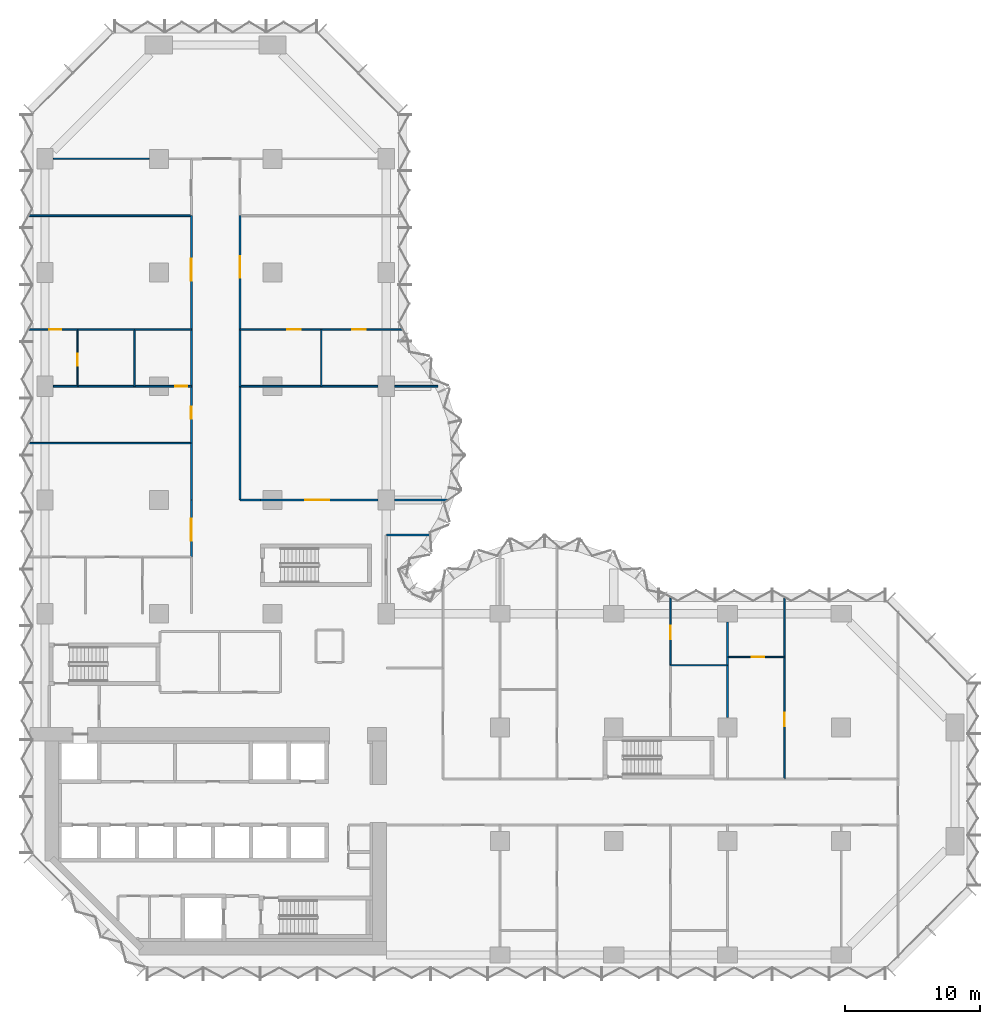
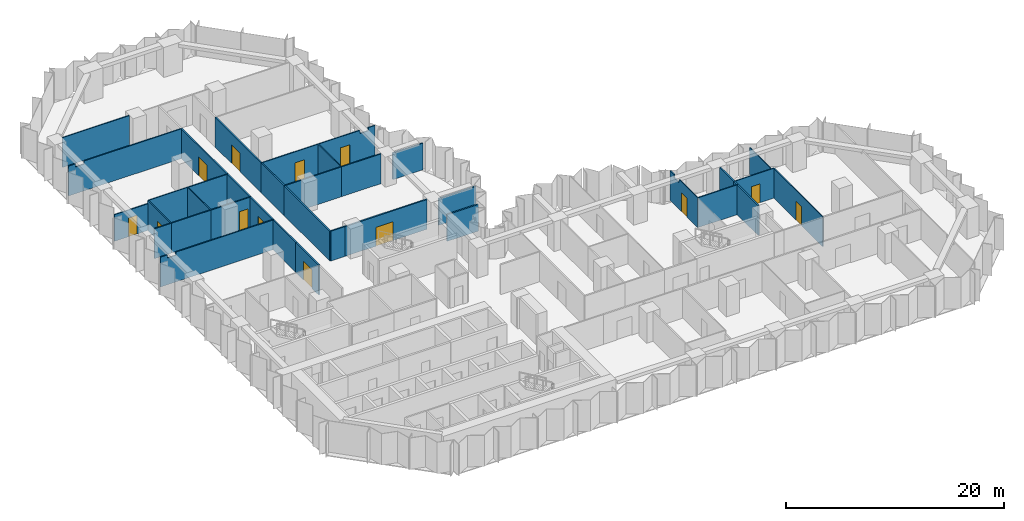
# One storey, part 11 of 15: 37 walls, 13 doors, 13 openings.
"""IFC4 building model written with IfcOpenShell, lengths in metres."""

from ifc_helpers import new_model, si_unit, direction, frame, frame_2d, origin, place, context, subcontext, project, spatial, polyline, rectangle, outline, extrude, material, layer, layer_set, type_object, element, fill, save


model = new_model("IFC4")

# Units and contexts
model_context = context("Model", 3, precision=1e-05, world=origin(), true_north=direction((0.0, 1.0)))
body_context = subcontext(model_context, "Body", "Model", "MODEL_VIEW")
ifc_project = project(units=[si_unit("LENGTHUNIT", "METRE"), si_unit("AREAUNIT", "SQUARE_METRE"), si_unit("VOLUMEUNIT", "CUBIC_METRE"), si_unit("PLANEANGLEUNIT", "RADIAN"), si_unit("MASSUNIT", "GRAM", prefix="KILO")], contexts=[model_context])

# Site, building, storey
site_placement = place(None, origin())
site = spatial("IfcSite", under=ifc_project, at=site_placement, CompositionType="ELEMENT")
building_placement = place(site_placement, origin())
building = spatial("IfcBuilding", under=site, at=building_placement, Name="Brevane Broadcast Tower", CompositionType="ELEMENT")
storey_placement = place(building_placement, frame((0.0, 0.0, 43.699951171875)))
storey = spatial("IfcBuildingStorey", under=building, at=storey_placement, Name="L08", CompositionType="ELEMENT", Elevation=43.699951171875)

# Wall, opening, door
ifc_material_1 = material(Name="Gypsum board partition")
ifc_layer_1 = layer(ifc_material_1, 0.10009765625)
ifc_layer_set_1 = layer_set([ifc_layer_1], Name="PARTITION 100 STUD")
wall_type_1 = type_object("IfcWallType", Name="PARTITION 100 STUD", PredefinedType="PARTITIONING", material=ifc_layer_set_1)
wall_1_placement = place(storey_placement, frame((46.199951171875, 26.3740234375, 0.0), z_axis=(0.0, 0.0, 1.0), x_axis=(0.0, -1.0, 0.0)))
wall_1 = element("IfcWall", 1, at=wall_1_placement, inside=storey, type_object=wall_type_1, Name="Partition G01-041", PredefinedType="PARTITIONING", context=body_context, shape_type="SweptSolid", body=[
    extrude(outline(polyline([(0.0, 0.0), (4.97412109375, 0.0), (4.97412109375, 3.330078125), (1.6240234375, 3.330078125), (1.6220703125, 2.97998046875), (0.72607421875, 2.97998046875), (0.72412109375, 3.330078125), (0.073974609375, 3.330078125), (0.0, 3.330078125), (0.0, 0.0)])), frame((0.0, 0.050048828125, 0.0), z_axis=(0.0, -1.0, 0.0), x_axis=(1.0, 0.0, 0.0)), (0.0, 0.0, 1.0), 0.10009765625),
])
opening_1_placement = place(wall_1_placement, frame((2.073974609375, 0.0, 0.0)))
opening_1 = element("IfcOpeningElement", 2, at=opening_1_placement, cuts=wall_1, Name="Opening D07-014", PredefinedType="OPENING", context=body_context, shape_type="SweptSolid", body=[
    extrude(rectangle(XDim=1.0, YDim=2.10009765625, at=frame_2d((0.5, 1.050048828125))), frame((0.0, 0.06005859375, 0.0), z_axis=(0.0, -1.0, 0.0), x_axis=(1.0, 0.0, 0.0)), (0.0, 0.0, 1.0), 0.1201171875),
])
ifc_material_2 = material(Name="Timber door leaf", Category="wood")
door_type_1 = type_object("IfcDoorType", Name="DOOR SINGLE 1000 INTERNAL", OperationType="SINGLE_SWING_LEFT", PredefinedType="DOOR", material=ifc_material_2)
door_1_placement = place(opening_1_placement, origin())
door_1 = element("IfcDoor", 3, at=door_1_placement, inside=storey, type_object=door_type_1, Name="Door D07-014", OperationType="SINGLE_SWING_LEFT", OverallHeight=2.10009765625, OverallWidth=1.0, PredefinedType="DOOR", context=body_context, shape_type="SweptSolid", body=[
    extrude(rectangle(XDim=1.0, YDim=2.10009765625, at=frame_2d((0.5, 1.050048828125))), frame((0.0, 0.02490234375, 0.0), z_axis=(0.0, -1.0, 0.0), x_axis=(1.0, 0.0, 0.0)), (0.0, 0.0, 1.0), 0.050048828125),
])
fill(opening_1, door_1)

# Wall
wall_2_placement = place(storey_placement, frame((46.199951171875, 21.39990234375, 0.0), z_axis=(0.0, 0.0, 1.0), x_axis=(1.0, 0.0, 0.0)))
element("IfcWall", 4, at=wall_2_placement, inside=storey, type_object=wall_type_1, Name="Partition G01-044", PredefinedType="PARTITIONING", context=body_context, shape_type="SweptSolid", body=[
    extrude(rectangle(XDim=4.199951171875, YDim=0.10009765625, at=frame_2d((2.10009765625, 0.0))), origin(), (0.0, 0.0, 1.0), 3.330078125),
])

# Wall, opening, door
wall_3_placement = place(storey_placement, frame((54.60009765625, 13.0, 0.0), z_axis=(0.0, 0.0, 1.0), x_axis=(0.0, 1.0, 0.0)))
wall_3 = element("IfcWall", 5, at=wall_3_placement, inside=storey, type_object=wall_type_1, Name="Partition G01-050", PredefinedType="PARTITIONING", context=body_context, shape_type="SweptSolid", body=[
    extrude(rectangle(XDim=9.0, YDim=0.10009765625, at=frame_2d((4.5, 0.0))), origin(), (0.0, 0.0, 1.0), 3.330078125),
])
opening_2_placement = place(wall_3_placement, frame((3.89990234375, 0.0, 0.0)))
opening_2 = element("IfcOpeningElement", 6, at=opening_2_placement, cuts=wall_3, Name="Opening D07-018", PredefinedType="OPENING", context=body_context, shape_type="SweptSolid", body=[
    extrude(rectangle(XDim=1.0, YDim=2.10009765625, at=frame_2d((0.5, 1.050048828125))), frame((0.0, 0.06005859375, 0.0), z_axis=(0.0, -1.0, 0.0), x_axis=(1.0, 0.0, 0.0)), (0.0, 0.0, 1.0), 0.1201171875),
])
door_2_placement = place(opening_2_placement, origin())
door_2 = element("IfcDoor", 7, at=door_2_placement, inside=storey, type_object=door_type_1, Name="Door D07-018", OperationType="SINGLE_SWING_LEFT", OverallHeight=2.10009765625, OverallWidth=1.0, PredefinedType="DOOR", context=body_context, shape_type="SweptSolid", body=[
    extrude(rectangle(XDim=1.0, YDim=2.10009765625, at=frame_2d((0.5, 1.050048828125))), frame((0.0, 0.02490234375, 0.0), z_axis=(0.0, -1.0, 0.0), x_axis=(1.0, 0.0, 0.0)), (0.0, 0.0, 1.0), 0.050048828125),
])
fill(opening_2, door_2)

# Wall
wall_4_placement = place(storey_placement, frame((54.60009765625, 22.0, 0.0), z_axis=(0.0, 0.0, 1.0), x_axis=(0.0, 1.0, 0.0)))
element("IfcWall", 8, at=wall_4_placement, inside=storey, type_object=wall_type_1, Name="Partition G01-051", PredefinedType="PARTITIONING", context=body_context, shape_type="SweptSolid", body=[
    extrude(rectangle(XDim=4.3740234375, YDim=0.10009765625, at=frame_2d((2.18701171875, 0.0))), origin(), (0.0, 0.0, 1.0), 2.97998046875),
])

# Wall, opening, door
wall_5_placement = place(storey_placement, frame((50.39990234375, 22.0, 0.0), z_axis=(0.0, 0.0, 1.0), x_axis=(1.0, 0.0, 0.0)))
wall_5 = element("IfcWall", 9, at=wall_5_placement, inside=storey, type_object=wall_type_1, Name="Partition G01-052", PredefinedType="PARTITIONING", context=body_context, shape_type="SweptSolid", body=[
    extrude(rectangle(XDim=4.2001953125, YDim=0.10009765625, at=frame_2d((2.10009765625, 0.0))), origin(), (0.0, 0.0, 1.0), 3.330078125),
])
opening_3_placement = place(wall_5_placement, frame((1.800048828125, 0.0, 0.0)))
opening_3 = element("IfcOpeningElement", 10, at=opening_3_placement, cuts=wall_5, Name="Opening D07-019", PredefinedType="OPENING", context=body_context, shape_type="SweptSolid", body=[
    extrude(rectangle(XDim=0.89990234375, YDim=2.10009765625, at=frame_2d((0.449951171875, 1.050048828125))), frame((0.0, 0.06005859375, 0.0), z_axis=(0.0, -1.0, 0.0), x_axis=(1.0, 0.0, 0.0)), (0.0, 0.0, 1.0), 0.1201171875),
])
door_type_2 = type_object("IfcDoorType", Name="DOOR SINGLE 900 INTERNAL", OperationType="SINGLE_SWING_LEFT", PredefinedType="DOOR", material=ifc_material_2)
door_3_placement = place(opening_3_placement, origin())
door_3 = element("IfcDoor", 11, at=door_3_placement, inside=storey, type_object=door_type_2, Name="Door D07-019", OperationType="SINGLE_SWING_LEFT", OverallHeight=2.10009765625, OverallWidth=0.89990234375, PredefinedType="DOOR", context=body_context, shape_type="SweptSolid", body=[
    extrude(rectangle(XDim=0.89990234375, YDim=2.10009765625, at=frame_2d((0.449951171875, 1.050048828125))), frame((0.0, 0.02490234375, 0.0), z_axis=(0.0, -1.0, 0.0), x_axis=(1.0, 0.0, 0.0)), (0.0, 0.0, 1.0), 0.050048828125),
])
fill(opening_3, door_3)

# Wall
wall_6_placement = place(storey_placement, frame((7.679931640625, 58.800048828125, 0.0), z_axis=(0.0, 0.0, 1.0), x_axis=(-1.0, 0.0, 0.0)))
element("IfcWall", 12, at=wall_6_placement, inside=storey, type_object=wall_type_1, Name="Partition G01-069", PredefinedType="PARTITIONING", context=body_context, shape_type="SweptSolid", body=[
    extrude(rectangle(XDim=7.059814453125, YDim=0.10009765625, at=frame_2d((3.52978515625, 0.0))), origin(), (0.0, 0.0, 1.0), 3.330078125),
])

# Wall, opening, door
wall_7_placement = place(storey_placement, frame((2.39990234375, 46.199951171875, 0.0), z_axis=(0.0, 0.0, 1.0), x_axis=(-1.0, 0.0, 0.0)))
wall_7 = element("IfcWall", 13, at=wall_7_placement, inside=storey, type_object=wall_type_1, Name="Partition G01-081", PredefinedType="PARTITIONING", context=body_context, shape_type="SweptSolid", body=[
    extrude(rectangle(XDim=3.573974609375, YDim=0.10009765625, at=frame_2d((1.787109375, 0.0))), origin(), (0.0, 0.0, 1.0), 2.97998046875),
])
opening_4_placement = place(wall_7_placement, frame((1.199951171875, 0.0, 0.0)))
opening_4 = element("IfcOpeningElement", 14, at=opening_4_placement, cuts=wall_7, Name="Opening D07-027", PredefinedType="OPENING", context=body_context, shape_type="SweptSolid", body=[
    extrude(rectangle(XDim=0.89990234375, YDim=2.10009765625, at=frame_2d((0.449951171875, 1.050048828125))), frame((0.0, 0.06005859375, 0.0), z_axis=(0.0, -1.0, 0.0), x_axis=(1.0, 0.0, 0.0)), (0.0, 0.0, 1.0), 0.1201171875),
])
door_4_placement = place(opening_4_placement, origin())
door_4 = element("IfcDoor", 15, at=door_4_placement, inside=storey, type_object=door_type_2, Name="Door D07-027", OperationType="SINGLE_SWING_LEFT", OverallHeight=2.10009765625, OverallWidth=0.89990234375, PredefinedType="DOOR", context=body_context, shape_type="SweptSolid", body=[
    extrude(rectangle(XDim=0.89990234375, YDim=2.10009765625, at=frame_2d((0.449951171875, 1.050048828125))), frame((0.0, 0.02490234375, 0.0), z_axis=(0.0, -1.0, 0.0), x_axis=(1.0, 0.0, 0.0)), (0.0, 0.0, 1.0), 0.050048828125),
])
fill(opening_4, door_4)

# Walls
wall_8_placement = place(storey_placement, frame((6.60009765625, 46.199951171875, 0.0), z_axis=(0.0, 0.0, 1.0), x_axis=(-1.0, 0.0, 0.0)))
element("IfcWall", 16, at=wall_8_placement, inside=storey, type_object=wall_type_1, Name="Partition G01-082", PredefinedType="PARTITIONING", context=body_context, shape_type="SweptSolid", body=[
    extrude(rectangle(XDim=4.2001953125, YDim=0.10009765625, at=frame_2d((2.10009765625, 0.0))), origin(), (0.0, 0.0, 1.0), 3.330078125),
])
wall_9_placement = place(storey_placement, frame((10.800048828125, 46.199951171875, 0.0), z_axis=(0.0, 0.0, 1.0), x_axis=(-1.0, 0.0, 0.0)))
element("IfcWall", 17, at=wall_9_placement, inside=storey, type_object=wall_type_1, Name="Partition G01-083", PredefinedType="PARTITIONING", context=body_context, shape_type="SweptSolid", body=[
    extrude(rectangle(XDim=4.199951171875, YDim=0.10009765625, at=frame_2d((2.10009765625, 0.0))), origin(), (0.0, 0.0, 1.0), 3.330078125),
])

# Wall, opening, door
wall_10_placement = place(storey_placement, frame((2.39990234375, 46.199951171875, 0.0), z_axis=(0.0, 0.0, 1.0), x_axis=(0.0, -1.0, 0.0)))
wall_10 = element("IfcWall", 18, at=wall_10_placement, inside=storey, type_object=wall_type_1, Name="Partition G01-085", PredefinedType="PARTITIONING", context=body_context, shape_type="SweptSolid", body=[
    extrude(rectangle(XDim=4.199951171875, YDim=0.10009765625, at=frame_2d((2.10009765625, 0.0))), origin(), (0.0, 0.0, 1.0), 3.330078125),
])
opening_5_placement = place(wall_10_placement, frame((1.800048828125, 0.0, 0.0)))
opening_5 = element("IfcOpeningElement", 19, at=opening_5_placement, cuts=wall_10, Name="Opening D07-028", PredefinedType="OPENING", context=body_context, shape_type="SweptSolid", body=[
    extrude(rectangle(XDim=0.89990234375, YDim=2.10009765625, at=frame_2d((0.449951171875, 1.050048828125))), frame((0.0, 0.06005859375, 0.0), z_axis=(0.0, -1.0, 0.0), x_axis=(1.0, 0.0, 0.0)), (0.0, 0.0, 1.0), 0.1201171875),
])
door_5_placement = place(opening_5_placement, origin())
door_5 = element("IfcDoor", 20, at=door_5_placement, inside=storey, type_object=door_type_2, Name="Door D07-028", OperationType="SINGLE_SWING_LEFT", OverallHeight=2.10009765625, OverallWidth=0.89990234375, PredefinedType="DOOR", context=body_context, shape_type="SweptSolid", body=[
    extrude(rectangle(XDim=0.89990234375, YDim=2.10009765625, at=frame_2d((0.449951171875, 1.050048828125))), frame((0.0, 0.02490234375, 0.0), z_axis=(0.0, -1.0, 0.0), x_axis=(1.0, 0.0, 0.0)), (0.0, 0.0, 1.0), 0.050048828125),
])
fill(opening_5, door_5)

# Wall
wall_11_placement = place(storey_placement, frame((6.60009765625, 46.199951171875, 0.0), z_axis=(0.0, 0.0, 1.0), x_axis=(0.0, -1.0, 0.0)))
element("IfcWall", 21, at=wall_11_placement, inside=storey, type_object=wall_type_1, Name="Partition G01-086", PredefinedType="PARTITIONING", context=body_context, shape_type="SweptSolid", body=[
    extrude(rectangle(XDim=4.199951171875, YDim=0.10009765625, at=frame_2d((2.10009765625, 0.0))), origin(), (0.0, 0.0, 1.0), 3.330078125),
])

# Wall, opening, door
wall_12_placement = place(storey_placement, frame((20.39990234375, 46.199951171875, 0.0), z_axis=(0.0, 0.0, 1.0), x_axis=(-1.0, 0.0, 0.0)))
wall_12 = element("IfcWall", 22, at=wall_12_placement, inside=storey, type_object=wall_type_1, Name="Partition G01-090", PredefinedType="PARTITIONING", context=body_context, shape_type="SweptSolid", body=[
    extrude(rectangle(XDim=6.0, YDim=0.10009765625, at=frame_2d((3.0, 0.0))), origin(), (0.0, 0.0, 1.0), 3.330078125),
])
opening_6_placement = place(wall_12_placement, frame((1.5, 0.0, 0.0)))
opening_6 = element("IfcOpeningElement", 23, at=opening_6_placement, cuts=wall_12, Name="Opening D07-033", PredefinedType="OPENING", context=body_context, shape_type="SweptSolid", body=[
    extrude(rectangle(XDim=1.0, YDim=2.10009765625, at=frame_2d((0.5, 1.050048828125))), frame((0.0, 0.06005859375, 0.0), z_axis=(0.0, -1.0, 0.0), x_axis=(1.0, 0.0, 0.0)), (0.0, 0.0, 1.0), 0.1201171875),
])
door_6_placement = place(opening_6_placement, origin())
door_6 = element("IfcDoor", 24, at=door_6_placement, inside=storey, type_object=door_type_1, Name="Door D07-033", OperationType="SINGLE_SWING_LEFT", OverallHeight=2.10009765625, OverallWidth=1.0, PredefinedType="DOOR", context=body_context, shape_type="SweptSolid", body=[
    extrude(rectangle(XDim=1.0, YDim=2.10009765625, at=frame_2d((0.5, 1.050048828125))), frame((0.0, 0.02490234375, 0.0), z_axis=(0.0, -1.0, 0.0), x_axis=(1.0, 0.0, 0.0)), (0.0, 0.0, 1.0), 0.050048828125),
])
fill(opening_6, door_6)

wall_13_placement = place(storey_placement, frame((26.3740234375, 46.199951171875, 0.0), z_axis=(0.0, 0.0, 1.0), x_axis=(-1.0, 0.0, 0.0)))
wall_13 = element("IfcWall", 25, at=wall_13_placement, inside=storey, type_object=wall_type_1, Name="Partition G01-091", PredefinedType="PARTITIONING", context=body_context, shape_type="SweptSolid", body=[
    extrude(outline(polyline([(0.0, 0.0), (5.97412109375, 0.0), (5.97412109375, 3.330078125), (1.6240234375, 3.330078125), (1.6220703125, 2.97998046875), (0.72607421875, 2.97998046875), (0.72412109375, 3.330078125), (0.073974609375, 3.330078125), (0.0, 3.330078125), (0.0, 0.0)])), frame((0.0, 0.050048828125, 0.0), z_axis=(0.0, -1.0, 0.0), x_axis=(1.0, 0.0, 0.0)), (0.0, 0.0, 1.0), 0.10009765625),
])
opening_7_placement = place(wall_13_placement, frame((2.674072265625, 0.0, 0.0)))
opening_7 = element("IfcOpeningElement", 26, at=opening_7_placement, cuts=wall_13, Name="Opening D07-034", PredefinedType="OPENING", context=body_context, shape_type="SweptSolid", body=[
    extrude(rectangle(XDim=1.0, YDim=2.10009765625, at=frame_2d((0.5, 1.050048828125))), frame((0.0, 0.06005859375, 0.0), z_axis=(0.0, -1.0, 0.0), x_axis=(1.0, 0.0, 0.0)), (0.0, 0.0, 1.0), 0.1201171875),
])
door_7_placement = place(opening_7_placement, origin())
door_7 = element("IfcDoor", 27, at=door_7_placement, inside=storey, type_object=door_type_1, Name="Door D07-034", OperationType="SINGLE_SWING_LEFT", OverallHeight=2.10009765625, OverallWidth=1.0, PredefinedType="DOOR", context=body_context, shape_type="SweptSolid", body=[
    extrude(rectangle(XDim=1.0, YDim=2.10009765625, at=frame_2d((0.5, 1.050048828125))), frame((0.0, 0.02490234375, 0.0), z_axis=(0.0, -1.0, 0.0), x_axis=(1.0, 0.0, 0.0)), (0.0, 0.0, 1.0), 0.050048828125),
])
fill(opening_7, door_7)

# Walls
wall_14_placement = place(storey_placement, frame((20.39990234375, 46.199951171875, 0.0), z_axis=(0.0, 0.0, 1.0), x_axis=(0.0, -1.0, 0.0)))
element("IfcWall", 28, at=wall_14_placement, inside=storey, type_object=wall_type_1, Name="Partition G01-093", PredefinedType="PARTITIONING", context=body_context, shape_type="SweptSolid", body=[
    extrude(rectangle(XDim=4.199951171875, YDim=0.10009765625, at=frame_2d((2.10009765625, 0.0))), origin(), (0.0, 0.0, 1.0), 3.330078125),
])
ifc_layer_2 = layer(ifc_material_1, 0.125)
ifc_layer_set_2 = layer_set([ifc_layer_2], Name="PARTITION 125 ACOUSTIC")
wall_type_2 = type_object("IfcWallType", Name="PARTITION 125 ACOUSTIC", PredefinedType="PARTITIONING", material=ifc_layer_set_2)
wall_15_placement = place(storey_placement, frame((-1.174072265625, 37.800048828125, 0.0), z_axis=(0.0, 0.0, 1.0), x_axis=(1.0, 0.0, 0.0)))
element("IfcWall", 29, at=wall_15_placement, inside=storey, type_object=wall_type_2, Name="Partition G01-075", PredefinedType="PARTITIONING", context=body_context, shape_type="SweptSolid", body=[
    extrude(outline(polyline([(0.0, 0.0), (11.97412109375, 0.0), (11.97412109375, 3.330078125), (1.6240234375, 3.330078125), (1.6220703125, 2.97998046875), (0.72607421875, 2.97998046875), (0.72412109375, 3.330078125), (0.073974609375, 3.330078125), (0.0, 3.330078125), (0.0, 0.0)])), frame((0.0, 0.0625, 0.0), z_axis=(0.0, -1.0, 0.0), x_axis=(1.0, 0.0, 0.0)), (0.0, 0.0, 1.0), 0.125),
])
wall_16_placement = place(storey_placement, frame((0.6201171875, 42.0, 0.0), z_axis=(0.0, 0.0, 1.0), x_axis=(1.0, 0.0, 0.0)))
element("IfcWall", 30, at=wall_16_placement, inside=storey, type_object=wall_type_2, Name="Partition G01-078", PredefinedType="PARTITIONING", context=body_context, shape_type="SweptSolid", body=[
    extrude(rectangle(XDim=1.77978515625, YDim=0.125, at=frame_2d((0.889892578125, 0.0))), origin(), (0.0, 0.0, 1.0), 3.330078125),
])
wall_17_placement = place(storey_placement, frame((2.39990234375, 42.0, 0.0), z_axis=(0.0, 0.0, 1.0), x_axis=(1.0, 0.0, 0.0)))
element("IfcWall", 31, at=wall_17_placement, inside=storey, type_object=wall_type_2, Name="Partition G01-079", PredefinedType="PARTITIONING", context=body_context, shape_type="SweptSolid", body=[
    extrude(rectangle(XDim=4.2001953125, YDim=0.125, at=frame_2d((2.10009765625, 0.0))), origin(), (0.0, 0.0, 1.0), 3.330078125),
])

# Wall, opening, door
wall_18_placement = place(storey_placement, frame((6.60009765625, 42.0, 0.0), z_axis=(0.0, 0.0, 1.0), x_axis=(1.0, 0.0, 0.0)))
wall_18 = element("IfcWall", 32, at=wall_18_placement, inside=storey, type_object=wall_type_2, Name="Partition G01-080", PredefinedType="PARTITIONING", context=body_context, shape_type="SweptSolid", body=[
    extrude(rectangle(XDim=4.199951171875, YDim=0.125, at=frame_2d((2.10009765625, 0.0))), origin(), (0.0, 0.0, 1.0), 3.330078125),
])
opening_8_placement = place(wall_18_placement, frame((3.0, 0.0, 0.0)))
opening_8 = element("IfcOpeningElement", 33, at=opening_8_placement, cuts=wall_18, Name="Opening D07-029", PredefinedType="OPENING", context=body_context, shape_type="SweptSolid", body=[
    extrude(rectangle(XDim=0.89990234375, YDim=2.10009765625, at=frame_2d((0.449951171875, 1.050048828125))), frame((0.0, 0.072509765625, 0.0), z_axis=(0.0, -1.0, 0.0), x_axis=(1.0, 0.0, 0.0)), (0.0, 0.0, 1.0), 0.14501953125),
])
door_8_placement = place(opening_8_placement, origin())
door_8 = element("IfcDoor", 34, at=door_8_placement, inside=storey, type_object=door_type_2, Name="Door D07-029", OperationType="SINGLE_SWING_RIGHT", OverallHeight=2.10009765625, OverallWidth=0.89990234375, PredefinedType="DOOR", context=body_context, shape_type="SweptSolid", body=[
    extrude(rectangle(XDim=0.89990234375, YDim=2.10009765625, at=frame_2d((0.449951171875, 1.050048828125))), frame((0.0, 0.02490234375, 0.0), z_axis=(0.0, -1.0, 0.0), x_axis=(1.0, 0.0, 0.0)), (0.0, 0.0, 1.0), 0.050048828125),
])
fill(opening_8, door_8)

# Walls
wall_19_placement = place(storey_placement, frame((-1.174072265625, 54.60009765625, 0.0), z_axis=(0.0, 0.0, 1.0), x_axis=(1.0, 0.0, 0.0)))
element("IfcWall", 35, at=wall_19_placement, inside=storey, type_object=wall_type_2, Name="Partition G01-084", PredefinedType="PARTITIONING", context=body_context, shape_type="SweptSolid", body=[
    extrude(outline(polyline([(0.0, 0.0), (11.97412109375, 0.0), (11.97412109375, 3.330078125), (1.6240234375, 3.330078125), (1.6220703125, 2.97998046875), (0.72607421875, 2.97998046875), (0.72412109375, 3.330078125), (0.073974609375, 3.330078125), (0.0, 3.330078125), (0.0, 0.0)])), frame((0.0, 0.0625, 0.0), z_axis=(0.0, -1.0, 0.0), x_axis=(1.0, 0.0, 0.0)), (0.0, 0.0, 1.0), 0.125),
])
wall_20_placement = place(storey_placement, frame((14.39990234375, 42.0, 0.0), z_axis=(0.0, 0.0, 1.0), x_axis=(1.0, 0.0, 0.0)))
element("IfcWall", 36, at=wall_20_placement, inside=storey, type_object=wall_type_2, Name="Partition G01-087", PredefinedType="PARTITIONING", context=body_context, shape_type="SweptSolid", body=[
    extrude(rectangle(XDim=6.0, YDim=0.125, at=frame_2d((3.0, 0.0))), origin(), (0.0, 0.0, 1.0), 3.330078125),
])
wall_21_placement = place(storey_placement, frame((20.39990234375, 42.0, 0.0), z_axis=(0.0, 0.0, 1.0), x_axis=(1.0, 0.0, 0.0)))
element("IfcWall", 37, at=wall_21_placement, inside=storey, type_object=wall_type_2, Name="Partition G01-088", PredefinedType="PARTITIONING", context=body_context, shape_type="SweptSolid", body=[
    extrude(rectangle(XDim=4.18017578125, YDim=0.125, at=frame_2d((2.090087890625, 0.0))), origin(), (0.0, 0.0, 1.0), 3.330078125),
])
wall_22_placement = place(storey_placement, frame((25.820068359375, 42.0, 0.0), z_axis=(0.0, 0.0, 1.0), x_axis=(1.0, 0.0, 0.0)))
element("IfcWall", 38, at=wall_22_placement, inside=storey, type_object=wall_type_2, Name="Partition G01-089", PredefinedType="PARTITIONING", context=body_context, shape_type="SweptSolid", body=[
    extrude(rectangle(XDim=3.19140625, YDim=0.125, at=frame_2d((1.595703125, 0.0))), origin(), (0.0, 0.0, 1.0), 2.97998046875),
])
ifc_layer_3 = layer(ifc_material_1, 0.14990234375)
ifc_layer_set_3 = layer_set([ifc_layer_3], Name="PARTITION 150 EI 60")
wall_type_3 = type_object("IfcWallType", Name="PARTITION 150 EI 60", PredefinedType="PARTITIONING", material=ifc_layer_set_3)
wall_23_placement = place(storey_placement, frame((25.199951171875, 31.0, 0.0), z_axis=(0.0, 0.0, 1.0), x_axis=(1.0, 0.0, 0.0)))
element("IfcWall", 39, at=wall_23_placement, inside=storey, type_object=wall_type_3, Name="Partition G01-006", PredefinedType="PARTITIONING", context=body_context, shape_type="SweptSolid", body=[
    extrude(rectangle(XDim=3.32421875, YDim=0.14990234375, at=frame_2d((1.662109375, 0.0))), origin(), (0.0, 0.0, 1.0), 2.97998046875),
])
wall_24_placement = place(storey_placement, frame((50.39990234375, 21.39990234375, 0.0), z_axis=(0.0, 0.0, 1.0), x_axis=(0.0, -1.0, 0.0)))
element("IfcWall", 40, at=wall_24_placement, inside=storey, type_object=wall_type_3, Name="Partition G01-045", PredefinedType="PARTITIONING", context=body_context, shape_type="SweptSolid", body=[
    extrude(rectangle(XDim=3.8798828125, YDim=0.14990234375, at=frame_2d((1.93994140625, 0.0))), origin(), (0.0, 0.0, 1.0), 3.330078125),
])
wall_25_placement = place(storey_placement, frame((50.39990234375, 22.0, 0.0), z_axis=(0.0, 0.0, 1.0), x_axis=(0.0, -1.0, 0.0)))
element("IfcWall", 41, at=wall_25_placement, inside=storey, type_object=wall_type_3, Name="Partition G01-047", PredefinedType="PARTITIONING", context=body_context, shape_type="SweptSolid", body=[
    extrude(rectangle(XDim=0.60009765625, YDim=0.14990234375, at=frame_2d((0.300048828125, 0.0))), origin(), (0.0, 0.0, 1.0), 3.330078125),
])
wall_26_placement = place(storey_placement, frame((50.39990234375, 24.580078125, 0.0), z_axis=(0.0, 0.0, 1.0), x_axis=(0.0, -1.0, 0.0)))
element("IfcWall", 42, at=wall_26_placement, inside=storey, type_object=wall_type_3, Name="Partition G01-048", PredefinedType="PARTITIONING", context=body_context, shape_type="SweptSolid", body=[
    extrude(rectangle(XDim=2.580078125, YDim=0.14990234375, at=frame_2d((1.2900390625, 0.0))), origin(), (0.0, 0.0, 1.0), 3.330078125),
])

# Wall, opening, door
wall_27_placement = place(storey_placement, frame((10.800048828125, 29.39990234375, 0.0), z_axis=(0.0, 0.0, 1.0), x_axis=(0.0, 1.0, 0.0)))
wall_27 = element("IfcWall", 43, at=wall_27_placement, inside=storey, type_object=wall_type_3, Name="Partition G01-053", PredefinedType="PARTITIONING", context=body_context, shape_type="SweptSolid", body=[
    extrude(rectangle(XDim=4.2001953125, YDim=0.14990234375, at=frame_2d((2.10009765625, 0.0))), origin(), (0.0, 0.0, 1.0), 3.330078125),
])
opening_9_placement = place(wall_27_placement, frame((1.199951171875, 0.0, 0.0)))
opening_9 = element("IfcOpeningElement", 44, at=opening_9_placement, cuts=wall_27, Name="Opening D07-021", PredefinedType="OPENING", context=body_context, shape_type="SweptSolid", body=[
    extrude(rectangle(XDim=1.60009765625, YDim=2.10009765625, at=frame_2d((0.800048828125, 1.050048828125))), frame((0.0, 0.0849609375, 0.0), z_axis=(0.0, -1.0, 0.0), x_axis=(1.0, 0.0, 0.0)), (0.0, 0.0, 1.0), 0.169921875),
])
ifc_material_3 = material(Name="Fire-rated timber door leaf", Category="wood")
door_type_3 = type_object("IfcDoorType", Name="DOOR DOUBLE 1600 FD30S", OperationType="DOUBLE_DOOR_SINGLE_SWING", PredefinedType="DOOR", material=ifc_material_3)
door_9_placement = place(opening_9_placement, origin())
door_9 = element("IfcDoor", 45, at=door_9_placement, inside=storey, type_object=door_type_3, Name="Door D07-021", OperationType="DOUBLE_DOOR_SINGLE_SWING", OverallHeight=2.10009765625, OverallWidth=1.60009765625, PredefinedType="DOOR", context=body_context, shape_type="SweptSolid", body=[
    extrude(rectangle(XDim=1.60009765625, YDim=2.10009765625, at=frame_2d((0.800048828125, 1.050048828125))), frame((0.0, 0.02490234375, 0.0), z_axis=(0.0, -1.0, 0.0), x_axis=(1.0, 0.0, 0.0)), (0.0, 0.0, 1.0), 0.050048828125),
])
fill(opening_9, door_9)

# Wall
wall_28_placement = place(storey_placement, frame((14.39990234375, 33.60009765625, 0.0), z_axis=(0.0, 0.0, 1.0), x_axis=(1.0, 0.0, 0.0)))
element("IfcWall", 46, at=wall_28_placement, inside=storey, type_object=wall_type_3, Name="Partition G01-055", PredefinedType="PARTITIONING", context=body_context, shape_type="SweptSolid", body=[
    extrude(rectangle(XDim=1.5, YDim=0.14990234375, at=frame_2d((0.75, 0.0))), origin(), (0.0, 0.0, 1.0), 3.330078125),
])

# Wall, opening, door
wall_29_placement = place(storey_placement, frame((15.89990234375, 33.60009765625, 0.0), z_axis=(0.0, 0.0, 1.0), x_axis=(1.0, 0.0, 0.0)))
wall_29 = element("IfcWall", 47, at=wall_29_placement, inside=storey, type_object=wall_type_3, Name="Partition G01-056", PredefinedType="PARTITIONING", context=body_context, shape_type="SweptSolid", body=[
    extrude(rectangle(XDim=8.68017578125, YDim=0.14990234375, at=frame_2d((4.340087890625, 0.0))), origin(), (0.0, 0.0, 1.0), 3.330078125),
])
opening_10_placement = place(wall_29_placement, frame((3.300048828125, 0.0, 0.0)))
opening_10 = element("IfcOpeningElement", 48, at=opening_10_placement, cuts=wall_29, Name="Opening D07-031", PredefinedType="OPENING", context=body_context, shape_type="SweptSolid", body=[
    extrude(rectangle(XDim=1.800048828125, YDim=2.10009765625, at=frame_2d((0.89990234375, 1.050048828125))), frame((0.0, 0.0849609375, 0.0), z_axis=(0.0, -1.0, 0.0), x_axis=(1.0, 0.0, 0.0)), (0.0, 0.0, 1.0), 0.169921875),
])
door_type_4 = type_object("IfcDoorType", Name="DOOR DOUBLE 1800 FD30S", OperationType="DOUBLE_DOOR_SINGLE_SWING", PredefinedType="DOOR", material=ifc_material_3)
door_10_placement = place(opening_10_placement, origin())
door_10 = element("IfcDoor", 49, at=door_10_placement, inside=storey, type_object=door_type_4, Name="Door D07-031", OperationType="DOUBLE_DOOR_SINGLE_SWING", OverallHeight=2.10009765625, OverallWidth=1.800048828125, PredefinedType="DOOR", context=body_context, shape_type="SweptSolid", body=[
    extrude(rectangle(XDim=1.800048828125, YDim=2.10009765625, at=frame_2d((0.89990234375, 1.050048828125))), frame((0.0, 0.02490234375, 0.0), z_axis=(0.0, -1.0, 0.0), x_axis=(1.0, 0.0, 0.0)), (0.0, 0.0, 1.0), 0.050048828125),
])
fill(opening_10, door_10)

# Walls
wall_30_placement = place(storey_placement, frame((25.820068359375, 33.60009765625, 0.0), z_axis=(0.0, 0.0, 1.0), x_axis=(1.0, 0.0, 0.0)))
element("IfcWall", 50, at=wall_30_placement, inside=storey, type_object=wall_type_3, Name="Partition G01-057", PredefinedType="PARTITIONING", context=body_context, shape_type="SweptSolid", body=[
    extrude(rectangle(XDim=3.94189453125, YDim=0.14990234375, at=frame_2d((1.970947265625, 0.0))), origin(), (0.0, 0.0, 1.0), 2.97998046875),
])
wall_31_placement = place(storey_placement, frame((10.800048828125, 33.60009765625, 0.0), z_axis=(0.0, 0.0, 1.0), x_axis=(0.0, 1.0, 0.0)))
element("IfcWall", 51, at=wall_31_placement, inside=storey, type_object=wall_type_3, Name="Partition G01-059", PredefinedType="PARTITIONING", context=body_context, shape_type="SweptSolid", body=[
    extrude(rectangle(XDim=4.199951171875, YDim=0.14990234375, at=frame_2d((2.10009765625, 0.0))), origin(), (0.0, 0.0, 1.0), 3.330078125),
])

# Wall, opening, door
wall_32_placement = place(storey_placement, frame((10.800048828125, 37.800048828125, 0.0), z_axis=(0.0, 0.0, 1.0), x_axis=(0.0, 1.0, 0.0)))
wall_32 = element("IfcWall", 52, at=wall_32_placement, inside=storey, type_object=wall_type_3, Name="Partition G01-060", PredefinedType="PARTITIONING", context=body_context, shape_type="SweptSolid", body=[
    extrude(rectangle(XDim=4.199951171875, YDim=0.14990234375, at=frame_2d((2.10009765625, 0.0))), origin(), (0.0, 0.0, 1.0), 3.330078125),
])
opening_11_placement = place(wall_32_placement, frame((1.800048828125, 0.0, 0.0)))
opening_11 = element("IfcOpeningElement", 53, at=opening_11_placement, cuts=wall_32, Name="Opening D07-025", PredefinedType="OPENING", context=body_context, shape_type="SweptSolid", body=[
    extrude(rectangle(XDim=0.89990234375, YDim=2.10009765625, at=frame_2d((0.449951171875, 1.050048828125))), frame((0.0, 0.0849609375, 0.0), z_axis=(0.0, -1.0, 0.0), x_axis=(1.0, 0.0, 0.0)), (0.0, 0.0, 1.0), 0.169921875),
])
door_type_5 = type_object("IfcDoorType", Name="DOOR SINGLE 900 FD30S", OperationType="SINGLE_SWING_LEFT", PredefinedType="DOOR", material=ifc_material_3)
door_11_placement = place(opening_11_placement, origin())
door_11 = element("IfcDoor", 54, at=door_11_placement, inside=storey, type_object=door_type_5, Name="Door D07-025", OperationType="SINGLE_SWING_LEFT", OverallHeight=2.10009765625, OverallWidth=0.89990234375, PredefinedType="DOOR", context=body_context, shape_type="SweptSolid", body=[
    extrude(rectangle(XDim=0.89990234375, YDim=2.10009765625, at=frame_2d((0.449951171875, 1.050048828125))), frame((0.0, 0.02490234375, 0.0), z_axis=(0.0, -1.0, 0.0), x_axis=(1.0, 0.0, 0.0)), (0.0, 0.0, 1.0), 0.050048828125),
])
fill(opening_11, door_11)

wall_33_placement = place(storey_placement, frame((10.800048828125, 46.199951171875, 0.0), z_axis=(0.0, 0.0, 1.0), x_axis=(0.0, 1.0, 0.0)))
wall_33 = element("IfcWall", 55, at=wall_33_placement, inside=storey, type_object=wall_type_3, Name="Partition G01-061", PredefinedType="PARTITIONING", context=body_context, shape_type="SweptSolid", body=[
    extrude(rectangle(XDim=8.400146484375, YDim=0.14990234375, at=frame_2d((4.2001953125, 0.0))), origin(), (0.0, 0.0, 1.0), 3.330078125),
])
opening_12_placement = place(wall_33_placement, frame((3.60009765625, 0.0, 0.0)))
opening_12 = element("IfcOpeningElement", 56, at=opening_12_placement, cuts=wall_33, Name="Opening D07-026", PredefinedType="OPENING", context=body_context, shape_type="SweptSolid", body=[
    extrude(rectangle(XDim=1.60009765625, YDim=2.10009765625, at=frame_2d((0.800048828125, 1.050048828125))), frame((0.0, 0.0849609375, 0.0), z_axis=(0.0, -1.0, 0.0), x_axis=(1.0, 0.0, 0.0)), (0.0, 0.0, 1.0), 0.169921875),
])
door_12_placement = place(opening_12_placement, origin())
door_12 = element("IfcDoor", 57, at=door_12_placement, inside=storey, type_object=door_type_3, Name="Door D07-026", OperationType="DOUBLE_DOOR_SINGLE_SWING", OverallHeight=2.10009765625, OverallWidth=1.60009765625, PredefinedType="DOOR", context=body_context, shape_type="SweptSolid", body=[
    extrude(rectangle(XDim=1.60009765625, YDim=2.10009765625, at=frame_2d((0.800048828125, 1.050048828125))), frame((0.0, 0.02490234375, 0.0), z_axis=(0.0, -1.0, 0.0), x_axis=(1.0, 0.0, 0.0)), (0.0, 0.0, 1.0), 0.050048828125),
])
fill(opening_12, door_12)

# Walls
wall_34_placement = place(storey_placement, frame((10.800048828125, 42.0, 0.0), z_axis=(0.0, 0.0, 1.0), x_axis=(0.0, 1.0, 0.0)))
element("IfcWall", 58, at=wall_34_placement, inside=storey, type_object=wall_type_3, Name="Partition G01-062", PredefinedType="PARTITIONING", context=body_context, shape_type="SweptSolid", body=[
    extrude(rectangle(XDim=4.199951171875, YDim=0.14990234375, at=frame_2d((2.10009765625, 0.0))), origin(), (0.0, 0.0, 1.0), 3.330078125),
])
wall_35_placement = place(storey_placement, frame((14.39990234375, 42.0, 0.0), z_axis=(0.0, 0.0, 1.0), x_axis=(0.0, -1.0, 0.0)))
element("IfcWall", 59, at=wall_35_placement, inside=storey, type_object=wall_type_3, Name="Partition G01-064", PredefinedType="PARTITIONING", context=body_context, shape_type="SweptSolid", body=[
    extrude(rectangle(XDim=8.39990234375, YDim=0.14990234375, at=frame_2d((4.199951171875, 0.0))), origin(), (0.0, 0.0, 1.0), 3.330078125),
])

# Wall, opening, door
wall_36_placement = place(storey_placement, frame((14.39990234375, 54.60009765625, 0.0), z_axis=(0.0, 0.0, 1.0), x_axis=(0.0, -1.0, 0.0)))
wall_36 = element("IfcWall", 60, at=wall_36_placement, inside=storey, type_object=wall_type_3, Name="Partition G01-065", PredefinedType="PARTITIONING", context=body_context, shape_type="SweptSolid", body=[
    extrude(rectangle(XDim=8.400146484375, YDim=0.14990234375, at=frame_2d((4.2001953125, 0.0))), origin(), (0.0, 0.0, 1.0), 3.330078125),
])
opening_13_placement = place(wall_36_placement, frame((3.0, 0.0, 0.0)))
opening_13 = element("IfcOpeningElement", 61, at=opening_13_placement, cuts=wall_36, Name="Opening D07-032", PredefinedType="OPENING", context=body_context, shape_type="SweptSolid", body=[
    extrude(rectangle(XDim=1.60009765625, YDim=2.10009765625, at=frame_2d((0.800048828125, 1.050048828125))), frame((0.0, 0.0849609375, 0.0), z_axis=(0.0, -1.0, 0.0), x_axis=(1.0, 0.0, 0.0)), (0.0, 0.0, 1.0), 0.169921875),
])
door_13_placement = place(opening_13_placement, origin())
door_13 = element("IfcDoor", 62, at=door_13_placement, inside=storey, type_object=door_type_3, Name="Door D07-032", OperationType="DOUBLE_DOOR_SINGLE_SWING", OverallHeight=2.10009765625, OverallWidth=1.60009765625, PredefinedType="DOOR", context=body_context, shape_type="SweptSolid", body=[
    extrude(rectangle(XDim=1.60009765625, YDim=2.10009765625, at=frame_2d((0.800048828125, 1.050048828125))), frame((0.0, 0.02490234375, 0.0), z_axis=(0.0, -1.0, 0.0), x_axis=(1.0, 0.0, 0.0)), (0.0, 0.0, 1.0), 0.050048828125),
])
fill(opening_13, door_13)

# Wall
wall_37_placement = place(storey_placement, frame((14.39990234375, 46.199951171875, 0.0), z_axis=(0.0, 0.0, 1.0), x_axis=(0.0, -1.0, 0.0)))
element("IfcWall", 63, at=wall_37_placement, inside=storey, type_object=wall_type_3, Name="Partition G01-066", PredefinedType="PARTITIONING", context=body_context, shape_type="SweptSolid", body=[
    extrude(rectangle(XDim=4.199951171875, YDim=0.14990234375, at=frame_2d((2.10009765625, 0.0))), origin(), (0.0, 0.0, 1.0), 3.330078125),
])

save(model, "model.ifc")
